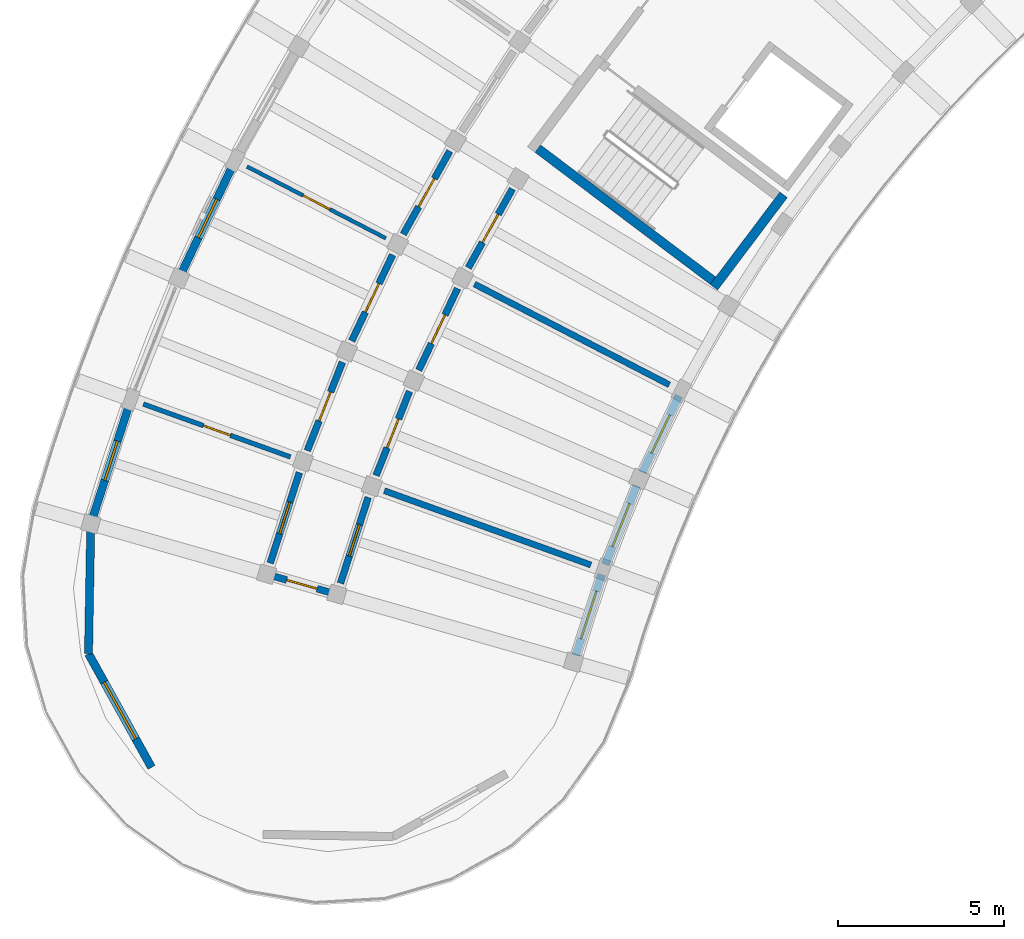
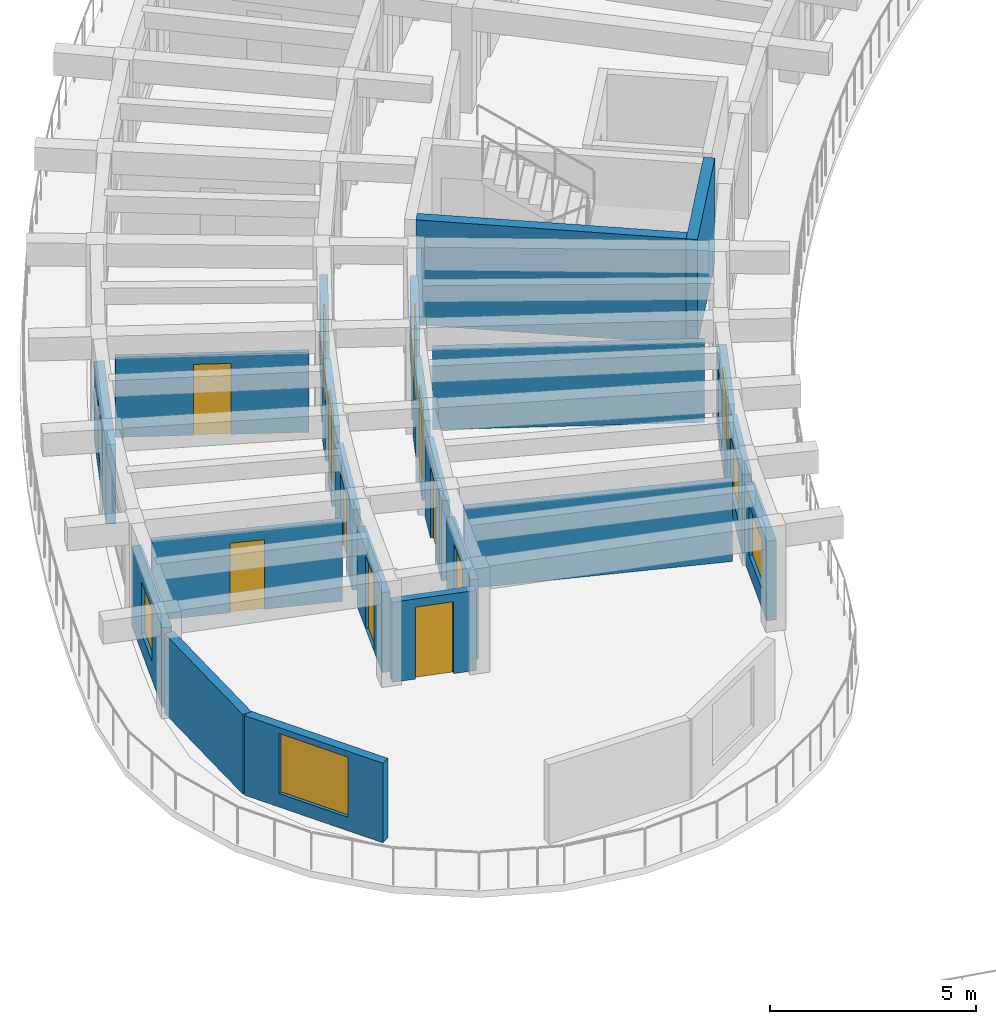
# One storey, part 46 of 83: 22 walls, 11 doors, 6 windows, 17 openings.
"""IFC4 building model written with IfcOpenShell, lengths in metres."""

from ifc_helpers import new_model, si_unit, direction, frame, frame_2d, origin, place, context, subcontext, project, spatial, rectangle, extrude, material, layer, layer_set, type_object, element, fill, save


model = new_model("IFC4")

# Units and contexts
model_context = context("Model", 3, precision=1e-05, world=origin(), true_north=direction((0.0, 1.0)))
body_context = subcontext(model_context, "Body", "Model", "MODEL_VIEW")
ifc_project = project(units=[si_unit("LENGTHUNIT", "METRE"), si_unit("AREAUNIT", "SQUARE_METRE"), si_unit("VOLUMEUNIT", "CUBIC_METRE"), si_unit("PLANEANGLEUNIT", "RADIAN"), si_unit("MASSUNIT", "GRAM", prefix="KILO")], contexts=[model_context])

# Site, building, storey
site_placement = place(None, origin())
site = spatial("IfcSite", under=ifc_project, at=site_placement, CompositionType="ELEMENT")
building_placement = place(site_placement, origin())
building = spatial("IfcBuilding", under=site, at=building_placement, Name="Tanwirah Colonnade Gardens", CompositionType="ELEMENT")
storey_placement = place(building_placement, frame((0.0, 0.0, 25.639892578125)))
storey = spatial("IfcBuildingStorey", under=building, at=storey_placement, Name="L07", CompositionType="ELEMENT", Elevation=25.639892578125)

# Wall, opening, window
ifc_material_1 = material(Name="Limestone architectural precast concrete C40/50", Category="masonry")
ifc_layer_1 = layer(ifc_material_1, 0.2451171875)
ifc_layer_set_1 = layer_set([ifc_layer_1], Name="Limestone architectural precast concrete C40/50")
wall_type_1 = type_object("IfcWallType", Name="EW-PC245", PredefinedType="SOLIDWALL", material=ifc_layer_set_1)
wall_1_placement = place(storey_placement, frame((12.030029296875, 87.39892578125, 0.0), z_axis=(0.0, 0.0, 1.0), x_axis=(-0.429639566356, -0.903000466789, 0.0)))
wall_1 = element("IfcWall", 1, at=wall_1_placement, inside=storey, type_object=wall_type_1, Name="Block A L07 OUT Precast Facade Wall 15", PredefinedType="SOLIDWALL", context=body_context, shape_type="SweptSolid", body=[
    extrude(rectangle(XDim=3.5458984375, YDim=0.2451171875, at=frame_2d((1.77294921875, 0.0))), origin(), (0.0, 0.0, 1.0), 2.355224609375),
])
opening_1_placement = place(wall_1_placement, frame((1.1328125, 0.0, 0.550048828125)))
opening_1 = element("IfcOpeningElement", 2, at=opening_1_placement, cuts=wall_1, Name="Opening WIN-T17", PredefinedType="OPENING", context=body_context, shape_type="SweptSolid", body=[
    extrude(rectangle(XDim=1.280029296875, YDim=1.52001953125, at=frame_2d((0.64013671875, 0.760009765625))), frame((0.0, 0.132568359375, 0.0), z_axis=(0.0, -1.0, 0.0), x_axis=(1.0, 0.0, 0.0)), (0.0, 0.0, 1.0), 0.26513671875),
])
ifc_material_2 = material(Name="Thermally broken bronze aluminium and solar low-E double glazing", Category="aluminium")
window_type_1 = type_object("IfcWindowType", Name="WIN-T17", PartitioningType="SINGLE_PANEL", PredefinedType="WINDOW", material=ifc_material_2)
window_1_placement = place(opening_1_placement, origin())
window_1 = element("IfcWindow", 3, at=window_1_placement, inside=storey, type_object=window_type_1, Name="Facade window A-L07-OUT-15", OverallHeight=1.52001953125, OverallWidth=1.280029296875, PartitioningType="SINGLE_PANEL", PredefinedType="WINDOW", context=body_context, shape_type="SweptSolid", body=[
    extrude(rectangle(XDim=1.280029296875, YDim=1.52001953125, at=frame_2d((0.64013671875, 0.760009765625))), frame((0.0, 0.030029296875, 0.0), z_axis=(0.0, -1.0, 0.0), x_axis=(1.0, 0.0, 0.0)), (0.0, 0.0, 1.0), 0.06005859375),
])
fill(opening_1, window_1)

wall_2_placement = place(storey_placement, frame((25.444091796875, 80.465576171875, 0.0), z_axis=(0.0, 0.0, 1.0), x_axis=(-0.429628853088, -0.903005563988, 0.0)))
wall_2 = element("IfcWall", 4, at=wall_2_placement, inside=storey, type_object=wall_type_1, Name="Block A L07 IN Precast Facade Wall 15", PredefinedType="SOLIDWALL", context=body_context, shape_type="SweptSolid", body=[
    extrude(rectangle(XDim=2.55029296875, YDim=0.2451171875, at=frame_2d((1.275146484375, 0.0))), origin(), (0.0, 0.0, 1.0), 2.355224609375),
])
opening_2_placement = place(wall_2_placement, frame((0.635009765625, 0.0, 0.550048828125)))
opening_2 = element("IfcOpeningElement", 5, at=opening_2_placement, cuts=wall_2, Name="Opening WIN-U04", PredefinedType="OPENING", context=body_context, shape_type="SweptSolid", body=[
    extrude(rectangle(XDim=1.280029296875, YDim=1.56005859375, at=frame_2d((0.64013671875, 0.780029296875))), frame((0.0, 0.132568359375, 0.0), z_axis=(0.0, -1.0, 0.0), x_axis=(1.0, 0.0, 0.0)), (0.0, 0.0, 1.0), 0.26513671875),
])
window_type_2 = type_object("IfcWindowType", Name="WIN-U04", PartitioningType="DOUBLE_PANEL_VERTICAL", PredefinedType="WINDOW", material=ifc_material_2)
window_2_placement = place(opening_2_placement, origin())
window_2 = element("IfcWindow", 6, at=window_2_placement, inside=storey, type_object=window_type_2, Name="Facade window A-L07-IN-15", OverallHeight=1.56005859375, OverallWidth=1.280029296875, PartitioningType="SINGLE_PANEL", PredefinedType="WINDOW", context=body_context, shape_type="SweptSolid", body=[
    extrude(rectangle(XDim=1.280029296875, YDim=1.56005859375, at=frame_2d((0.64013671875, 0.780029296875))), frame((0.0, 0.030029296875, 0.0), z_axis=(0.0, -1.0, 0.0), x_axis=(1.0, 0.0, 0.0)), (0.0, 0.0, 1.0), 0.06005859375),
])
fill(opening_2, window_2)

wall_3_placement = place(storey_placement, frame((24.172607421875, 77.759521484375, 0.0), z_axis=(0.0, 0.0, 1.0), x_axis=(-0.36914482699, -0.92937188289, 0.0)))
wall_3 = element("IfcWall", 7, at=wall_3_placement, inside=storey, type_object=wall_type_1, Name="Block A L07 IN Precast Facade Wall 16", PredefinedType="SOLIDWALL", context=body_context, shape_type="SweptSolid", body=[
    extrude(rectangle(XDim=2.55029296875, YDim=0.2451171875, at=frame_2d((1.275146484375, 0.0))), origin(), (0.0, 0.0, 1.0), 2.355224609375),
])
opening_3_placement = place(wall_3_placement, frame((0.5751953125, 0.0, 0.550048828125)))
opening_3 = element("IfcOpeningElement", 8, at=opening_3_placement, cuts=wall_3, Name="Opening WIN-U07", PredefinedType="OPENING", context=body_context, shape_type="SweptSolid", body=[
    extrude(rectangle(XDim=1.39990234375, YDim=1.635009765625, at=frame_2d((0.699951171875, 0.8173828125))), frame((0.0, 0.132568359375, 0.0), z_axis=(0.0, -1.0, 0.0), x_axis=(1.0, 0.0, 0.0)), (0.0, 0.0, 1.0), 0.26513671875),
])
window_type_3 = type_object("IfcWindowType", Name="WIN-U07", PartitioningType="DOUBLE_PANEL_VERTICAL", PredefinedType="WINDOW", material=ifc_material_2)
window_3_placement = place(opening_3_placement, origin())
window_3 = element("IfcWindow", 9, at=window_3_placement, inside=storey, type_object=window_type_3, Name="Facade window A-L07-IN-16", OverallHeight=1.635009765625, OverallWidth=1.39990234375, PartitioningType="SINGLE_PANEL", PredefinedType="WINDOW", context=body_context, shape_type="SweptSolid", body=[
    extrude(rectangle(XDim=1.39990234375, YDim=1.635009765625, at=frame_2d((0.699951171875, 0.8173828125))), frame((0.0, 0.030029296875, 0.0), z_axis=(0.0, -1.0, 0.0), x_axis=(1.0, 0.0, 0.0)), (0.0, 0.0, 1.0), 0.06005859375),
])
fill(opening_3, window_3)

wall_4_placement = place(storey_placement, frame((8.91357421875, 80.19775390625, 0.0), z_axis=(0.0, 0.0, 1.0), x_axis=(-0.30716573199, -0.951656037175, 0.0)))
wall_4 = element("IfcWall", 10, at=wall_4_placement, inside=storey, type_object=wall_type_1, Name="Block A L07 OUT Precast Facade Wall 17", PredefinedType="SOLIDWALL", context=body_context, shape_type="SweptSolid", body=[
    extrude(rectangle(XDim=3.545654296875, YDim=0.2451171875, at=frame_2d((1.77294921875, 0.0))), origin(), (0.0, 0.0, 1.0), 2.355224609375),
])
opening_4_placement = place(wall_4_placement, frame((1.15283203125, 0.0, 0.550048828125)))
opening_4 = element("IfcOpeningElement", 11, at=opening_4_placement, cuts=wall_4, Name="Opening WIN-U03", PredefinedType="OPENING", context=body_context, shape_type="SweptSolid", body=[
    extrude(rectangle(XDim=1.239990234375, YDim=1.534912109375, at=frame_2d((0.6201171875, 0.767578125))), frame((0.0, 0.132568359375, 0.0), z_axis=(0.0, -1.0, 0.0), x_axis=(1.0, 0.0, 0.0)), (0.0, 0.0, 1.0), 0.26513671875),
])
window_type_4 = type_object("IfcWindowType", Name="WIN-U03", PartitioningType="DOUBLE_PANEL_VERTICAL", PredefinedType="WINDOW", material=ifc_material_2)
window_4_placement = place(opening_4_placement, origin())
window_4 = element("IfcWindow", 12, at=window_4_placement, inside=storey, type_object=window_type_4, Name="Facade window A-L07-OUT-17", OverallHeight=1.534912109375, OverallWidth=1.239990234375, PartitioningType="SINGLE_PANEL", PredefinedType="WINDOW", context=body_context, shape_type="SweptSolid", body=[
    extrude(rectangle(XDim=1.239990234375, YDim=1.534912109375, at=frame_2d((0.6201171875, 0.767578125))), frame((0.0, 0.030029296875, 0.0), z_axis=(0.0, -1.0, 0.0), x_axis=(1.0, 0.0, 0.0)), (0.0, 0.0, 1.0), 0.06005859375),
])
fill(opening_4, window_4)

wall_5_placement = place(storey_placement, frame((23.122802734375, 75.08837890625, 0.0), z_axis=(0.0, 0.0, 1.0), x_axis=(-0.307109066975, -0.951674325062, 0.0)))
wall_5 = element("IfcWall", 13, at=wall_5_placement, inside=storey, type_object=wall_type_1, Name="Block A L07 IN Precast Facade Wall 17", PredefinedType="SOLIDWALL", context=body_context, shape_type="SweptSolid", body=[
    extrude(rectangle(XDim=2.55029296875, YDim=0.2451171875, at=frame_2d((1.275146484375, 0.0))), origin(), (0.0, 0.0, 1.0), 2.355224609375),
])
opening_5_placement = place(wall_5_placement, frame((0.51513671875, 0.0, 0.550048828125)))
opening_5 = element("IfcOpeningElement", 14, at=opening_5_placement, cuts=wall_5, Name="Opening WIN-U10", PredefinedType="OPENING", context=body_context, shape_type="SweptSolid", body=[
    extrude(rectangle(XDim=1.52001953125, YDim=1.485107421875, at=frame_2d((0.760009765625, 0.74267578125))), frame((0.0, 0.132568359375, 0.0), z_axis=(0.0, -1.0, 0.0), x_axis=(1.0, 0.0, 0.0)), (0.0, 0.0, 1.0), 0.26513671875),
])
window_type_5 = type_object("IfcWindowType", Name="WIN-U10", PartitioningType="DOUBLE_PANEL_VERTICAL", PredefinedType="WINDOW", material=ifc_material_2)
window_5_placement = place(opening_5_placement, origin())
window_5 = element("IfcWindow", 15, at=window_5_placement, inside=storey, type_object=window_type_5, Name="Facade window A-L07-IN-17", OverallHeight=1.485107421875, OverallWidth=1.52001953125, PartitioningType="SINGLE_PANEL", PredefinedType="WINDOW", context=body_context, shape_type="SweptSolid", body=[
    extrude(rectangle(XDim=1.52001953125, YDim=1.485107421875, at=frame_2d((0.760009765625, 0.74267578125))), frame((0.0, 0.030029296875, 0.0), z_axis=(0.0, -1.0, 0.0), x_axis=(1.0, 0.0, 0.0)), (0.0, 0.0, 1.0), 0.06005859375),
])
fill(opening_5, window_5)

wall_6_placement = place(storey_placement, frame((9.58349609375, 69.28857421875, 0.0), z_axis=(0.0, 0.0, 1.0), x_axis=(-0.484841794757, 0.874601871743, 0.0)))
wall_6 = element("IfcWall", 16, at=wall_6_placement, inside=storey, type_object=wall_type_1, Name="Block A L07 END Rounded End Wall 4", PredefinedType="SOLIDWALL", context=body_context, shape_type="SweptSolid", body=[
    extrude(rectangle(XDim=3.907958984375, YDim=0.2451171875, at=frame_2d((1.9541015625, 0.0))), origin(), (0.0, 0.0, 1.0), 2.355224609375),
])
opening_6_placement = place(wall_6_placement, frame((0.97900390625, 0.0, 0.39990234375)))
opening_6 = element("IfcOpeningElement", 17, at=opening_6_placement, cuts=wall_6, Name="Opening WIN-END2", PredefinedType="OPENING", context=body_context, shape_type="SweptSolid", body=[
    extrude(rectangle(XDim=1.949951171875, YDim=1.780029296875, at=frame_2d((0.97509765625, 0.89013671875))), frame((0.0, 0.132568359375, 0.0), z_axis=(0.0, -1.0, 0.0), x_axis=(1.0, 0.0, 0.0)), (0.0, 0.0, 1.0), 0.26513671875),
])
window_type_6 = type_object("IfcWindowType", Name="WIN-END2", PartitioningType="TRIPLE_PANEL_VERTICAL", PredefinedType="WINDOW", material=ifc_material_2)
window_6_placement = place(opening_6_placement, origin())
window_6 = element("IfcWindow", 18, at=window_6_placement, inside=storey, type_object=window_type_6, Name="Rounded corner window A-L07-END-4", OverallHeight=1.780029296875, OverallWidth=1.949951171875, PartitioningType="SINGLE_PANEL", PredefinedType="WINDOW", context=body_context, shape_type="SweptSolid", body=[
    extrude(rectangle(XDim=1.949951171875, YDim=1.780029296875, at=frame_2d((0.97509765625, 0.89013671875))), frame((0.0, 0.030029296875, 0.0), z_axis=(0.0, -1.0, 0.0), x_axis=(1.0, 0.0, 0.0)), (0.0, 0.0, 1.0), 0.06005859375),
])
fill(opening_6, window_6)

# Wall
wall_7_placement = place(storey_placement, frame((7.688720703125, 72.70654296875, 0.0), z_axis=(0.0, 0.0, 1.0), x_axis=(0.017428315893, 0.999848115368, 0.0)))
element("IfcWall", 19, at=wall_7_placement, inside=storey, type_object=wall_type_1, Name="Block A L07 END Rounded End Wall 5", PredefinedType="SOLIDWALL", context=body_context, shape_type="SweptSolid", body=[
    extrude(rectangle(XDim=3.908203125, YDim=0.2451171875, at=frame_2d((1.9541015625, 0.0))), origin(), (0.0, 0.0, 1.0), 2.355224609375),
])

# Wall, opening, door
ifc_material_3 = material(Name="Precast concrete C40/50", Category="concrete")
ifc_layer_2 = layer(ifc_material_3, 0.205078125)
ifc_layer_set_2 = layer_set([ifc_layer_2], Name="Precast concrete C40/50")
wall_type_2 = type_object("IfcWallType", Name="IW-CORR205", PredefinedType="PARTITIONING", material=ifc_layer_set_2)
wall_8_placement = place(storey_placement, frame((18.55322265625, 87.822021484375, 0.0), z_axis=(0.0, 0.0, 1.0), x_axis=(-0.488211211273, -0.872725508501, 0.0)))
wall_8 = element("IfcWall", 20, at=wall_8_placement, inside=storey, type_object=wall_type_2, Name="Block A L07 OUT Corridor Wall 14", PredefinedType="PARTITIONING", context=body_context, shape_type="SweptSolid", body=[
    extrude(rectangle(XDim=2.86279296875, YDim=0.205078125, at=frame_2d((1.431396484375, 0.0))), origin(), (0.0, 0.0, 1.0), 2.3701171875),
])
opening_7_placement = place(wall_8_placement, frame((0.946533203125, 0.0, 0.0)))
opening_7 = element("IfcOpeningElement", 21, at=opening_7_placement, cuts=wall_8, Name="Opening L07-AD545", PredefinedType="OPENING", context=body_context, shape_type="SweptSolid", body=[
    extrude(rectangle(XDim=0.969970703125, YDim=2.14990234375, at=frame_2d((0.48486328125, 1.074951171875))), frame((0.0, 0.112548828125, 0.0), z_axis=(0.0, -1.0, 0.0), x_axis=(1.0, 0.0, 0.0)), (0.0, 0.0, 1.0), 0.22509765625),
])
ifc_material_4 = material(Name="Solid oak fire-resisting apartment entrance door")
door_type_1 = type_object("IfcDoorType", Name="ID-FLT097", OperationType="NOTDEFINED", PredefinedType="DOOR", material=ifc_material_4)
door_1_placement = place(opening_7_placement, origin())
door_1 = element("IfcDoor", 22, at=door_1_placement, inside=storey, type_object=door_type_1, Name="Apartment corridor door L07-AD545", OperationType="SINGLE_SWING_RIGHT", OverallHeight=2.14990234375, OverallWidth=0.969970703125, PredefinedType="DOOR", context=body_context, shape_type="SweptSolid", body=[
    extrude(rectangle(XDim=0.969970703125, YDim=2.14990234375, at=frame_2d((0.48486328125, 1.074951171875))), frame((0.0, 0.02490234375, 0.0), z_axis=(0.0, -1.0, 0.0), x_axis=(1.0, 0.0, 0.0)), (0.0, 0.0, 1.0), 0.050048828125),
])
fill(opening_7, door_1)

wall_9_placement = place(storey_placement, frame((20.436767578125, 86.685302734375, 0.0), z_axis=(0.0, 0.0, 1.0), x_axis=(-0.48819576874, -0.872734147025, 0.0)))
wall_9 = element("IfcWall", 23, at=wall_9_placement, inside=storey, type_object=wall_type_2, Name="Block A L07 IN Corridor Wall 14", PredefinedType="PARTITIONING", context=body_context, shape_type="SweptSolid", body=[
    extrude(rectangle(XDim=2.718017578125, YDim=0.205078125, at=frame_2d((1.35888671875, 0.0))), origin(), (0.0, 0.0, 1.0), 2.3701171875),
])
opening_8_placement = place(wall_9_placement, frame((0.8740234375, 0.0, 0.0)))
opening_8 = element("IfcOpeningElement", 24, at=opening_8_placement, cuts=wall_9, Name="Opening L07-AD546", PredefinedType="OPENING", context=body_context, shape_type="SweptSolid", body=[
    extrude(rectangle(XDim=0.969970703125, YDim=2.14990234375, at=frame_2d((0.48486328125, 1.074951171875))), frame((0.0, 0.112548828125, 0.0), z_axis=(0.0, -1.0, 0.0), x_axis=(1.0, 0.0, 0.0)), (0.0, 0.0, 1.0), 0.22509765625),
])
door_2_placement = place(opening_8_placement, origin())
door_2 = element("IfcDoor", 25, at=door_2_placement, inside=storey, type_object=door_type_1, Name="Apartment corridor door L07-AD546", OperationType="SINGLE_SWING_LEFT", OverallHeight=2.14990234375, OverallWidth=0.969970703125, PredefinedType="DOOR", context=body_context, shape_type="SweptSolid", body=[
    extrude(rectangle(XDim=0.969970703125, YDim=2.14990234375, at=frame_2d((0.48486328125, 1.074951171875))), frame((0.0, 0.02490234375, 0.0), z_axis=(0.0, -1.0, 0.0), x_axis=(1.0, 0.0, 0.0)), (0.0, 0.0, 1.0), 0.050048828125),
])
fill(opening_8, door_2)

wall_10_placement = place(storey_placement, frame((16.834228515625, 84.701904296875, 0.0), z_axis=(0.0, 0.0, 1.0), x_axis=(-0.429595933416, -0.90302122566, 0.0)))
wall_10 = element("IfcWall", 26, at=wall_10_placement, inside=storey, type_object=wall_type_2, Name="Block A L07 OUT Corridor Wall 15", PredefinedType="PARTITIONING", context=body_context, shape_type="SweptSolid", body=[
    extrude(rectangle(XDim=2.863037109375, YDim=0.205078125, at=frame_2d((1.431640625, 0.0))), origin(), (0.0, 0.0, 1.0), 2.3701171875),
])
opening_9_placement = place(wall_10_placement, frame((0.95654296875, 0.0, 0.0)))
opening_9 = element("IfcOpeningElement", 27, at=opening_9_placement, cuts=wall_10, Name="Opening L07-AD548", PredefinedType="OPENING", context=body_context, shape_type="SweptSolid", body=[
    extrude(rectangle(XDim=0.949951171875, YDim=2.1298828125, at=frame_2d((0.47509765625, 1.06494140625))), frame((0.0, 0.112548828125, 0.0), z_axis=(0.0, -1.0, 0.0), x_axis=(1.0, 0.0, 0.0)), (0.0, 0.0, 1.0), 0.22509765625),
])
door_type_2 = type_object("IfcDoorType", Name="ID-FLT095", OperationType="NOTDEFINED", PredefinedType="DOOR", material=ifc_material_4)
door_3_placement = place(opening_9_placement, origin())
door_3 = element("IfcDoor", 28, at=door_3_placement, inside=storey, type_object=door_type_2, Name="Apartment corridor door L07-AD548", OperationType="SINGLE_SWING_LEFT", OverallHeight=2.1298828125, OverallWidth=0.949951171875, PredefinedType="DOOR", context=body_context, shape_type="SweptSolid", body=[
    extrude(rectangle(XDim=0.949951171875, YDim=2.1298828125, at=frame_2d((0.47509765625, 1.06494140625))), frame((0.0, 0.02490234375, 0.0), z_axis=(0.0, -1.0, 0.0), x_axis=(1.0, 0.0, 0.0)), (0.0, 0.0, 1.0), 0.050048828125),
])
fill(opening_9, door_3)

wall_11_placement = place(storey_placement, frame((18.78857421875, 83.691650390625, 0.0), z_axis=(0.0, 0.0, 1.0), x_axis=(-0.429630211913, -0.90300491749, 0.0)))
wall_11 = element("IfcWall", 29, at=wall_11_placement, inside=storey, type_object=wall_type_2, Name="Block A L07 IN Corridor Wall 15", PredefinedType="PARTITIONING", context=body_context, shape_type="SweptSolid", body=[
    extrude(rectangle(XDim=2.718017578125, YDim=0.205078125, at=frame_2d((1.35888671875, 0.0))), origin(), (0.0, 0.0, 1.0), 2.3701171875),
])
opening_10_placement = place(wall_11_placement, frame((0.884033203125, 0.0, 0.0)))
opening_10 = element("IfcOpeningElement", 30, at=opening_10_placement, cuts=wall_11, Name="Opening L07-AD549", PredefinedType="OPENING", context=body_context, shape_type="SweptSolid", body=[
    extrude(rectangle(XDim=0.949951171875, YDim=2.1298828125, at=frame_2d((0.47509765625, 1.06494140625))), frame((0.0, 0.112548828125, 0.0), z_axis=(0.0, -1.0, 0.0), x_axis=(1.0, 0.0, 0.0)), (0.0, 0.0, 1.0), 0.22509765625),
])
door_4_placement = place(opening_10_placement, origin())
door_4 = element("IfcDoor", 31, at=door_4_placement, inside=storey, type_object=door_type_2, Name="Apartment corridor door L07-AD549", OperationType="SINGLE_SWING_RIGHT", OverallHeight=2.1298828125, OverallWidth=0.949951171875, PredefinedType="DOOR", context=body_context, shape_type="SweptSolid", body=[
    extrude(rectangle(XDim=0.949951171875, YDim=2.1298828125, at=frame_2d((0.47509765625, 1.06494140625))), frame((0.0, 0.02490234375, 0.0), z_axis=(0.0, -1.0, 0.0), x_axis=(1.0, 0.0, 0.0)), (0.0, 0.0, 1.0), 0.050048828125),
])
fill(opening_10, door_4)

wall_12_placement = place(storey_placement, frame((15.32470703125, 81.47509765625, 0.0), z_axis=(0.0, 0.0, 1.0), x_axis=(-0.369213832442, -0.929344471083, 0.0)))
wall_12 = element("IfcWall", 32, at=wall_12_placement, inside=storey, type_object=wall_type_2, Name="Block A L07 OUT Corridor Wall 16", PredefinedType="PARTITIONING", context=body_context, shape_type="SweptSolid", body=[
    extrude(rectangle(XDim=2.86328125, YDim=0.205078125, at=frame_2d((1.431640625, 0.0))), origin(), (0.0, 0.0, 1.0), 2.3701171875),
])
opening_11_placement = place(wall_12_placement, frame((0.966552734375, 0.0, 0.0)))
opening_11 = element("IfcOpeningElement", 33, at=opening_11_placement, cuts=wall_12, Name="Opening L07-AD550", PredefinedType="OPENING", context=body_context, shape_type="SweptSolid", body=[
    extrude(rectangle(XDim=0.929931640625, YDim=2.1201171875, at=frame_2d((0.46484375, 1.06005859375))), frame((0.0, 0.112548828125, 0.0), z_axis=(0.0, -1.0, 0.0), x_axis=(1.0, 0.0, 0.0)), (0.0, 0.0, 1.0), 0.22509765625),
])
door_type_3 = type_object("IfcDoorType", Name="ID-FLT093", OperationType="NOTDEFINED", PredefinedType="DOOR", material=ifc_material_4)
door_5_placement = place(opening_11_placement, origin())
door_5 = element("IfcDoor", 34, at=door_5_placement, inside=storey, type_object=door_type_3, Name="Apartment corridor door L07-AD550", OperationType="SINGLE_SWING_RIGHT", OverallHeight=2.1201171875, OverallWidth=0.929931640625, PredefinedType="DOOR", context=body_context, shape_type="SweptSolid", body=[
    extrude(rectangle(XDim=0.929931640625, YDim=2.1201171875, at=frame_2d((0.46484375, 1.06005859375))), frame((0.0, 0.02490234375, 0.0), z_axis=(0.0, -1.0, 0.0), x_axis=(1.0, 0.0, 0.0)), (0.0, 0.0, 1.0), 0.050048828125),
])
fill(opening_11, door_5)

wall_13_placement = place(storey_placement, frame((17.34130859375, 80.595947265625, 0.0), z_axis=(0.0, 0.0, 1.0), x_axis=(-0.369237170461, -0.929335198919, 0.0)))
wall_13 = element("IfcWall", 35, at=wall_13_placement, inside=storey, type_object=wall_type_2, Name="Block A L07 IN Corridor Wall 16", PredefinedType="PARTITIONING", context=body_context, shape_type="SweptSolid", body=[
    extrude(rectangle(XDim=2.71826171875, YDim=0.205078125, at=frame_2d((1.359130859375, 0.0))), origin(), (0.0, 0.0, 1.0), 2.3701171875),
])
opening_12_placement = place(wall_13_placement, frame((0.89404296875, 0.0, 0.0)))
opening_12 = element("IfcOpeningElement", 36, at=opening_12_placement, cuts=wall_13, Name="Opening L07-AD551", PredefinedType="OPENING", context=body_context, shape_type="SweptSolid", body=[
    extrude(rectangle(XDim=0.929931640625, YDim=2.1201171875, at=frame_2d((0.46484375, 1.06005859375))), frame((0.0, 0.112548828125, 0.0), z_axis=(0.0, -1.0, 0.0), x_axis=(1.0, 0.0, 0.0)), (0.0, 0.0, 1.0), 0.22509765625),
])
door_6_placement = place(opening_12_placement, origin())
door_6 = element("IfcDoor", 37, at=door_6_placement, inside=storey, type_object=door_type_3, Name="Apartment corridor door L07-AD551", OperationType="SINGLE_SWING_LEFT", OverallHeight=2.1201171875, OverallWidth=0.929931640625, PredefinedType="DOOR", context=body_context, shape_type="SweptSolid", body=[
    extrude(rectangle(XDim=0.929931640625, YDim=2.1201171875, at=frame_2d((0.46484375, 1.06005859375))), frame((0.0, 0.02490234375, 0.0), z_axis=(0.0, -1.0, 0.0), x_axis=(1.0, 0.0, 0.0)), (0.0, 0.0, 1.0), 0.050048828125),
])
fill(opening_12, door_6)

wall_14_placement = place(storey_placement, frame((14.03076171875, 78.156005859375, 0.0), z_axis=(0.0, 0.0, 1.0), x_axis=(-0.307132325305, -0.951666819193, 0.0)))
wall_14 = element("IfcWall", 38, at=wall_14_placement, inside=storey, type_object=wall_type_2, Name="Block A L07 OUT Corridor Wall 17", PredefinedType="PARTITIONING", context=body_context, shape_type="SweptSolid", body=[
    extrude(rectangle(XDim=2.86328125, YDim=0.205078125, at=frame_2d((1.431640625, 0.0))), origin(), (0.0, 0.0, 1.0), 2.3701171875),
])
opening_13_placement = place(wall_14_placement, frame((0.9365234375, 0.0, 0.0)))
opening_13 = element("IfcOpeningElement", 39, at=opening_13_placement, cuts=wall_14, Name="Opening L07-AD553", PredefinedType="OPENING", context=body_context, shape_type="SweptSolid", body=[
    extrude(rectangle(XDim=0.989990234375, YDim=2.159912109375, at=frame_2d((0.4951171875, 1.080078125))), frame((0.0, 0.112548828125, 0.0), z_axis=(0.0, -1.0, 0.0), x_axis=(1.0, 0.0, 0.0)), (0.0, 0.0, 1.0), 0.22509765625),
])
door_type_4 = type_object("IfcDoorType", Name="ID-FLT099", OperationType="NOTDEFINED", PredefinedType="DOOR", material=ifc_material_4)
door_7_placement = place(opening_13_placement, origin())
door_7 = element("IfcDoor", 40, at=door_7_placement, inside=storey, type_object=door_type_4, Name="Apartment corridor door L07-AD553", OperationType="SINGLE_SWING_LEFT", OverallHeight=2.159912109375, OverallWidth=0.989990234375, PredefinedType="DOOR", context=body_context, shape_type="SweptSolid", body=[
    extrude(rectangle(XDim=0.989990234375, YDim=2.159912109375, at=frame_2d((0.4951171875, 1.080078125))), frame((0.0, 0.02490234375, 0.0), z_axis=(0.0, -1.0, 0.0), x_axis=(1.0, 0.0, 0.0)), (0.0, 0.0, 1.0), 0.050048828125),
])
fill(opening_13, door_7)

wall_15_placement = place(storey_placement, frame((16.10107421875, 77.41162109375, 0.0), z_axis=(0.0, 0.0, 1.0), x_axis=(-0.307186478934, -0.95164934044, 0.0)))
wall_15 = element("IfcWall", 41, at=wall_15_placement, inside=storey, type_object=wall_type_2, Name="Block A L07 IN Corridor Wall 17", PredefinedType="PARTITIONING", context=body_context, shape_type="SweptSolid", body=[
    extrude(rectangle(XDim=2.718017578125, YDim=0.205078125, at=frame_2d((1.35888671875, 0.0))), origin(), (0.0, 0.0, 1.0), 2.3701171875),
])
opening_14_placement = place(wall_15_placement, frame((0.864013671875, 0.0, 0.0)))
opening_14 = element("IfcOpeningElement", 42, at=opening_14_placement, cuts=wall_15, Name="Opening L07-AD554", PredefinedType="OPENING", context=body_context, shape_type="SweptSolid", body=[
    extrude(rectangle(XDim=0.989990234375, YDim=2.159912109375, at=frame_2d((0.4951171875, 1.080078125))), frame((0.0, 0.112548828125, 0.0), z_axis=(0.0, -1.0, 0.0), x_axis=(1.0, 0.0, 0.0)), (0.0, 0.0, 1.0), 0.22509765625),
])
door_8_placement = place(opening_14_placement, origin())
door_8 = element("IfcDoor", 43, at=door_8_placement, inside=storey, type_object=door_type_4, Name="Apartment corridor door L07-AD554", OperationType="SINGLE_SWING_RIGHT", OverallHeight=2.159912109375, OverallWidth=0.989990234375, PredefinedType="DOOR", context=body_context, shape_type="SweptSolid", body=[
    extrude(rectangle(XDim=0.989990234375, YDim=2.159912109375, at=frame_2d((0.4951171875, 1.080078125))), frame((0.0, 0.02490234375, 0.0), z_axis=(0.0, -1.0, 0.0), x_axis=(1.0, 0.0, 0.0)), (0.0, 0.0, 1.0), 0.050048828125),
])
fill(opening_14, door_8)

wall_16_placement = place(storey_placement, frame((15.110595703125, 74.505615234375, 0.0), z_axis=(0.0, 0.0, 1.0), x_axis=(-0.961264701934, 0.275626872449, 0.0)))
wall_16 = element("IfcWall", 44, at=wall_16_placement, inside=storey, type_object=wall_type_2, Name="Block A L07 CE Corner Suite Corridor Wall", PredefinedType="PARTITIONING", context=body_context, shape_type="SweptSolid", body=[
    extrude(rectangle(XDim=2.10009765625, YDim=0.205078125, at=frame_2d((1.050048828125, 0.0))), origin(), (0.0, 0.0, 1.0), 2.3701171875),
])
opening_15_placement = place(wall_16_placement, frame((0.570068359375, 0.0, 0.0)))
opening_15 = element("IfcOpeningElement", 45, at=opening_15_placement, cuts=wall_16, Name="Opening L07-CD556", PredefinedType="OPENING", context=body_context, shape_type="SweptSolid", body=[
    extrude(rectangle(XDim=0.949951171875, YDim=2.1298828125, at=frame_2d((0.47509765625, 1.06494140625))), frame((0.0, 0.112548828125, 0.0), z_axis=(0.0, -1.0, 0.0), x_axis=(1.0, 0.0, 0.0)), (0.0, 0.0, 1.0), 0.22509765625),
])
door_9_placement = place(opening_15_placement, origin())
door_9 = element("IfcDoor", 46, at=door_9_placement, inside=storey, type_object=door_type_2, Name="Corner suite entrance door L07-CD556", OperationType="SINGLE_SWING_RIGHT", OverallHeight=2.1298828125, OverallWidth=0.949951171875, PredefinedType="DOOR", context=body_context, shape_type="SweptSolid", body=[
    extrude(rectangle(XDim=0.949951171875, YDim=2.1298828125, at=frame_2d((0.47509765625, 1.06494140625))), frame((0.0, 0.02490234375, 0.0), z_axis=(0.0, -1.0, 0.0), x_axis=(1.0, 0.0, 0.0)), (0.0, 0.0, 1.0), 0.050048828125),
])
fill(opening_15, door_9)

# Walls
ifc_layer_3 = layer(ifc_material_3, 0.18505859375)
ifc_layer_set_3 = layer_set([ifc_layer_3], Name="Precast concrete C40/50")
wall_type_3 = type_object("IfcWallType", Name="IW-DEM185", PredefinedType="PARTITIONING", material=ifc_layer_set_3)
wall_17_placement = place(storey_placement, frame((25.157470703125, 80.793701171875, 0.0), z_axis=(0.0, 0.0, 1.0), x_axis=(-0.888346696024, 0.459173330741, 0.0)))
element("IfcWall", 47, at=wall_17_placement, inside=storey, type_object=wall_type_3, Name="Block A L07 Inner Radial Partition 14", PredefinedType="PARTITIONING", context=body_context, shape_type="SweptSolid", body=[
    extrude(rectangle(XDim=6.599853515625, YDim=0.18505859375, at=frame_2d((3.2998046875, 0.0))), origin(), (0.0, 0.0, 1.0), 2.3701171875),
])
wall_18_placement = place(storey_placement, frame((22.795654296875, 75.3759765625, 0.0), z_axis=(0.0, 0.0, 1.0), x_axis=(-0.941005714099, 0.338390670725, 0.0)))
element("IfcWall", 48, at=wall_18_placement, inside=storey, type_object=wall_type_3, Name="Block A L07 Inner Radial Partition 16", PredefinedType="PARTITIONING", context=body_context, shape_type="SweptSolid", body=[
    extrude(rectangle(XDim=6.60009765625, YDim=0.18505859375, at=frame_2d((3.300048828125, 0.0))), origin(), (0.0, 0.0, 1.0), 2.3701171875),
])

# Wall, opening, door
ifc_material_5 = material(Name="Acoustic gypsum stud partition")
ifc_layer_4 = layer(ifc_material_5, 0.114990234375)
ifc_layer_set_4 = layer_set([ifc_layer_4], Name="Acoustic gypsum stud partition")
wall_type_4 = type_object("IfcWallType", Name="IW-INT115", PredefinedType="PARTITIONING", material=ifc_layer_set_4)
wall_19_placement = place(storey_placement, frame((16.62939453125, 85.20166015625, 0.0), z_axis=(0.0, 0.0, 1.0), x_axis=(-0.88836305433, 0.459141681512, 0.0)))
wall_19 = element("IfcWall", 49, at=wall_19_placement, inside=storey, type_object=wall_type_4, Name="Block A L07 Radial Partition 14", PredefinedType="PARTITIONING", context=body_context, shape_type="SweptSolid", body=[
    extrude(rectangle(XDim=4.699951171875, YDim=0.114990234375, at=frame_2d((2.35009765625, 0.0))), origin(), (0.0, 0.0, 1.0), 2.3701171875),
])
opening_16_placement = place(wall_19_placement, frame((1.89501953125, 0.0, 0.0)))
opening_16 = element("IfcOpeningElement", 50, at=opening_16_placement, cuts=wall_19, Name="Opening L07-RD547", PredefinedType="OPENING", context=body_context, shape_type="SweptSolid", body=[
    extrude(rectangle(XDim=0.909912109375, YDim=2.10009765625, at=frame_2d((0.455078125, 1.050048828125))), frame((0.0, 0.0673828125, 0.0), z_axis=(0.0, -1.0, 0.0), x_axis=(1.0, 0.0, 0.0)), (0.0, 0.0, 1.0), 0.135009765625),
])
ifc_material_6 = material(Name="Painted hardwood internal room door", Category="wood")
door_type_5 = type_object("IfcDoorType", Name="ID-RM091", OperationType="NOTDEFINED", PredefinedType="DOOR", material=ifc_material_6)
door_10_placement = place(opening_16_placement, origin())
door_10 = element("IfcDoor", 51, at=door_10_placement, inside=storey, type_object=door_type_5, Name="Internal apartment door L07-RD547", OperationType="SINGLE_SWING_RIGHT", OverallHeight=2.10009765625, OverallWidth=0.909912109375, PredefinedType="DOOR", context=body_context, shape_type="SweptSolid", body=[
    extrude(rectangle(XDim=0.909912109375, YDim=2.10009765625, at=frame_2d((0.455078125, 1.050048828125))), frame((0.0, 0.02490234375, 0.0), z_axis=(0.0, -1.0, 0.0), x_axis=(1.0, 0.0, 0.0)), (0.0, 0.0, 1.0), 0.050048828125),
])
fill(opening_16, door_10)

ifc_material_7 = material(Name="Water-resistant acoustic plumbing partition")
ifc_layer_5 = layer(ifc_material_7, 0.139892578125)
ifc_layer_set_5 = layer_set([ifc_layer_5], Name="Water-resistant acoustic plumbing partition")
wall_type_5 = type_object("IfcWallType", Name="IW-WET140", PredefinedType="PLUMBINGWALL", material=ifc_layer_set_5)
wall_20_placement = place(storey_placement, frame((13.761962890625, 78.62451171875, 0.0), z_axis=(0.0, 0.0, 1.0), x_axis=(-0.941015806044, 0.338362605463, 0.0)))
wall_20 = element("IfcWall", 52, at=wall_20_placement, inside=storey, type_object=wall_type_5, Name="Block A L07 Radial Partition 16", PredefinedType="PLUMBINGWALL", context=body_context, shape_type="SweptSolid", body=[
    extrude(rectangle(XDim=4.7001953125, YDim=0.139892578125, at=frame_2d((2.35009765625, 0.0))), origin(), (0.0, 0.0, 1.0), 2.3701171875),
])
opening_17_placement = place(wall_20_placement, frame((1.919921875, 0.0, 0.0)))
opening_17 = element("IfcOpeningElement", 53, at=opening_17_placement, cuts=wall_20, Name="Opening L07-RD552", PredefinedType="OPENING", context=body_context, shape_type="SweptSolid", body=[
    extrude(rectangle(XDim=0.860107421875, YDim=2.06005859375, at=frame_2d((0.43017578125, 1.030029296875))), frame((0.0, 0.079833984375, 0.0), z_axis=(0.0, -1.0, 0.0), x_axis=(1.0, 0.0, 0.0)), (0.0, 0.0, 1.0), 0.159912109375),
])
ifc_material_8 = material(Name="Moisture-resistant bathroom door")
door_type_6 = type_object("IfcDoorType", Name="ID-WET086", OperationType="NOTDEFINED", PredefinedType="DOOR", material=ifc_material_8)
door_11_placement = place(opening_17_placement, origin())
door_11 = element("IfcDoor", 54, at=door_11_placement, inside=storey, type_object=door_type_6, Name="Internal apartment door L07-RD552", OperationType="SINGLE_SWING_RIGHT", OverallHeight=2.06005859375, OverallWidth=0.860107421875, PredefinedType="DOOR", context=body_context, shape_type="SweptSolid", body=[
    extrude(rectangle(XDim=0.860107421875, YDim=2.06005859375, at=frame_2d((0.43017578125, 1.030029296875))), frame((0.0, 0.02490234375, 0.0), z_axis=(0.0, -1.0, 0.0), x_axis=(1.0, 0.0, 0.0)), (0.0, 0.0, 1.0), 0.050048828125),
])
fill(opening_17, door_11)

# Walls
ifc_material_9 = material(Name="Concrete C45/55", Category="concrete")
ifc_layer_6 = layer(ifc_material_9, 0.280029296875)
ifc_layer_set_6 = layer_set([ifc_layer_6], Name="Concrete C45/55")
wall_type_6 = type_object("IfcWallType", Name="SW-CORE280", PredefinedType="SHEAR", material=ifc_layer_set_6)
wall_21_placement = place(storey_placement, frame((21.19873046875, 87.8974609375, 0.0), z_axis=(0.0, 0.0, 1.0), x_axis=(0.798639633744, -0.601809550782, 0.0)))
element("IfcWall", 55, at=wall_21_placement, inside=storey, type_object=wall_type_6, Name="CORE-A2 L07 Stair Shaft Shear Wall LEFT", PredefinedType="SHEAR", context=body_context, shape_type="SweptSolid", body=[
    extrude(rectangle(XDim=6.599853515625, YDim=0.280029296875, at=frame_2d((3.2998046875, 0.0))), origin(), (0.0, 0.0, 1.0), 3.110107421875),
])
wall_22_placement = place(storey_placement, frame((26.497314453125, 83.7294921875, 0.0), z_axis=(0.0, 0.0, 1.0), x_axis=(0.601794470585, 0.798650997102, 0.0)))
element("IfcWall", 56, at=wall_22_placement, inside=storey, type_object=wall_type_6, Name="CORE-A2 L07 Stair Shaft Shear Wall FAR", PredefinedType="SHEAR", context=body_context, shape_type="SweptSolid", body=[
    extrude(rectangle(XDim=3.47998046875, YDim=0.280029296875, at=frame_2d((1.739990234375, 0.0))), origin(), (0.0, 0.0, 1.0), 3.110107421875),
])

save(model, "model.ifc")
